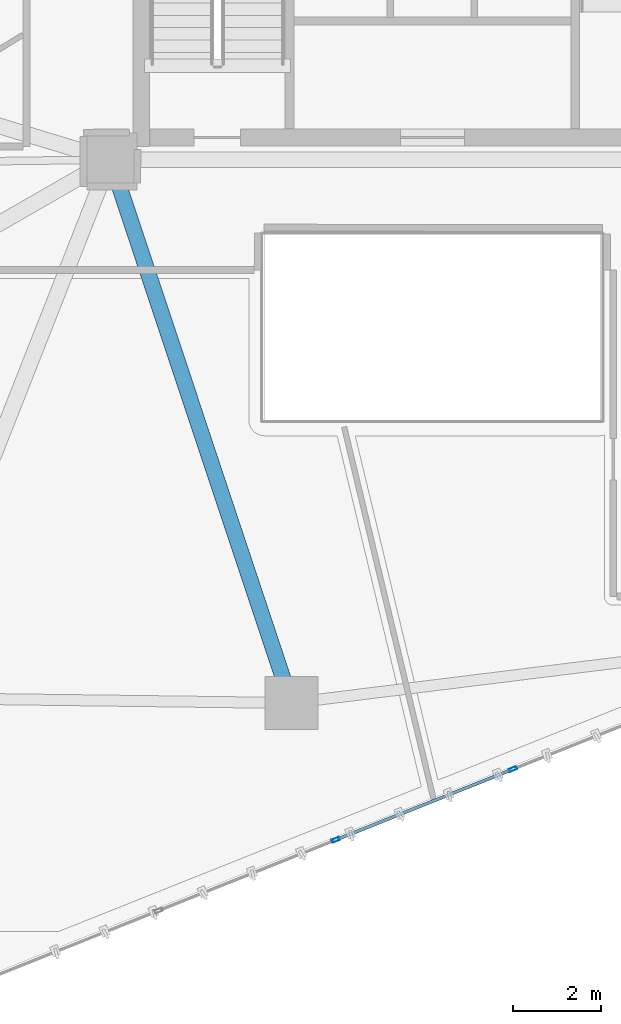
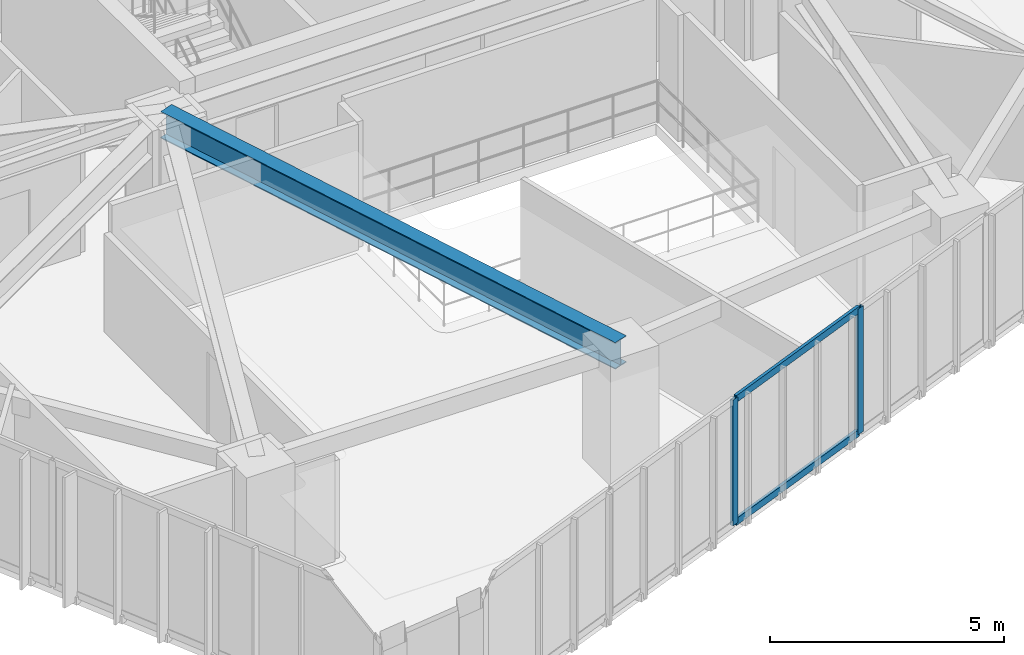
# One storey, part 4 of 22: 4 members, 1 beam, 1 element without a shape of its own.
"""IFC4 building model written with IfcOpenShell, lengths in metres."""

from ifc_helpers import new_model, si_unit, direction, frame, origin, origin_2d, place, context, subcontext, project, spatial, hollow_rectangle, i_section, extrude, source, transform, mapped, material, layer, layer_set, material_profile, profile_set, type_object, type_shapes, element, aggregate, save


model = new_model("IFC4")

# Units and contexts
model_context = context("Model", 3, precision=1e-05, world=origin(), true_north=direction((0.0, 1.0)))
body_context = subcontext(model_context, "Body", "Model", "MODEL_VIEW")
ifc_project = project(units=[si_unit("LENGTHUNIT", "METRE"), si_unit("AREAUNIT", "SQUARE_METRE"), si_unit("VOLUMEUNIT", "CUBIC_METRE"), si_unit("PLANEANGLEUNIT", "RADIAN"), si_unit("MASSUNIT", "GRAM", prefix="KILO")], contexts=[model_context])

# Site, building, storey
site_placement = place(None, origin())
site = spatial("IfcSite", under=ifc_project, at=site_placement, CompositionType="ELEMENT")
building_placement = place(site_placement, origin())
building = spatial("IfcBuilding", under=site, at=building_placement, Name="Talar Marvaseh", CompositionType="ELEMENT")
storey_placement = place(building_placement, frame((0.0, 0.0, 154.199951171875)))
storey = spatial("IfcBuildingStorey", under=building, at=storey_placement, Name="L40", CompositionType="ELEMENT", Elevation=154.199951171875)

# Beam
ifc_material_1 = material(Name="Steel S355", Category="steel")
ifc_material_profile_1 = material_profile(ifc_material_1, i_section(OverallWidth=0.35498046875, OverallDepth=0.695068359375, WebThickness=0.015380859375, FlangeThickness=0.02490234375, at=origin_2d()), Name="W690x217")
ifc_profile_set_1 = profile_set([ifc_material_profile_1], Name="Steel S355")
beam_type = type_object("IfcBeamType", Name="Zone 2 Radial Floor Girder W690x217", PredefinedType="BEAM", material=ifc_profile_set_1)
beam_placement = place(storey_placement, frame((22.804931640625, 13.18310546875, 2.9326171875), z_axis=(-0.316182634321, 0.948698340756, 0.0), x_axis=(-0.948698340756, -0.316182634321, 0.0)))
element("IfcBeam", 1, at=beam_placement, inside=storey, type_object=beam_type, Name="L40 Zone 2 Radial Floor Girder W690x217", PredefinedType="BEAM", context=body_context, shape_type="SweptSolid", body=[
    extrude(i_section(OverallWidth=0.35498046875, OverallDepth=0.695068359375, WebThickness=0.015380859375, FlangeThickness=0.02490234375, at=origin_2d()), origin(), (0.0, 0.0, 1.0), 12.98291015625),
])

# Curtain wall, members
ifc_material_2 = material(Name="Architectural Aluminium", Category="aluminium")
ifc_layer = layer(ifc_material_2, 0.199951171875)
ifc_layer_set = layer_set([ifc_layer], Name="Architectural Aluminium")
curtain_wall_type = type_object("IfcCurtainWallType", Name="Unitised Acoustic Library Curtain Wall Z2", PredefinedType="NOTDEFINED", material=ifc_layer_set)
curtain_wall_placement = place(storey_placement, origin())
curtain_wall = element("IfcCurtainWall", 2, at=curtain_wall_placement, inside=storey, type_object=curtain_wall_type, Name="L40 Unitised Acoustic Library Curtain Wall Z2", PredefinedType="NOTDEFINED")
ifc_material_profile_2 = material_profile(ifc_material_2, hollow_rectangle(XDim=0.074951171875, YDim=0.179931640625, WallThickness=0.0048828125, at=origin_2d()), Name="RHS180x75x5")
ifc_profile_set_2 = profile_set([ifc_material_profile_2], Name="Architectural Aluminium")
member_type_1 = type_object("IfcMemberType", Name="Unitised Curtain Wall Transom RHS180x75x5", PredefinedType="USERDEFINED", material=ifc_profile_set_2)
shared_shape_1 = source(origin(), body_context, "Body", "SweptSolid", [
    extrude(hollow_rectangle(XDim=0.074951171875, YDim=0.179931640625, WallThickness=0.0048828125, at=origin_2d()), origin(), (0.0, 0.0, 1.0), 4.24853515625),
])
type_shapes(member_type_1, [shared_shape_1])
member_1_placement = place(storey_placement, frame((27.79150390625, 11.669677734375, 0.03759765625), z_axis=(-0.928749893509, -0.370706939923, 0.0), x_axis=(0.370706939923, -0.928749893509, 0.0)))
member_1 = element("IfcMember", 3, at=member_1_placement, type_object=member_type_1, Name="CW-Z2 transom 3.1", ObjectType="TRANSOM", PredefinedType="USERDEFINED", context=body_context, shape_type="MappedRepresentation", body=[
    mapped(shared_shape_1, transform((0.0, 0.0, 0.0), x_axis=(1.0, 0.0, 0.0), y_axis=(0.0, 1.0, 0.0), z_axis=(0.0, 0.0, 1.0), scale=1.0)),
])
member_2_placement = place(storey_placement, frame((27.79150390625, 11.669677734375, 3.242431640625), z_axis=(-0.928749893509, -0.370706939923, 0.0), x_axis=(0.370706939923, -0.928749893509, 0.0)))
member_2 = element("IfcMember", 4, at=member_2_placement, type_object=member_type_1, Name="CW-Z2 transom 3.2", ObjectType="TRANSOM", PredefinedType="USERDEFINED", context=body_context, shape_type="MappedRepresentation", body=[
    mapped(shared_shape_1, transform((0.0, 0.0, 0.0), x_axis=(1.0, 0.0, 0.0), y_axis=(0.0, 1.0, 0.0), z_axis=(0.0, 0.0, 1.0), scale=1.0)),
])
ifc_material_profile_3 = material_profile(ifc_material_2, hollow_rectangle(XDim=0.074951171875, YDim=0.179931640625, WallThickness=0.0048828125, at=origin_2d()), Name="RHS180x75x5")
ifc_profile_set_3 = profile_set([ifc_material_profile_3], Name="Architectural Aluminium")
member_type_2 = type_object("IfcMemberType", Name="Unitised Curtain Wall Standard Mullion RHS180x75x5", PredefinedType="MULLION", material=ifc_profile_set_3)
shared_shape_2 = source(origin(), body_context, "Body", "SweptSolid", [
    extrude(hollow_rectangle(XDim=0.074951171875, YDim=0.179931640625, WallThickness=0.0048828125, at=origin_2d()), origin(), (0.0, 0.0, 1.0), 3.280029296875),
])
type_shapes(member_type_2, [shared_shape_2])
member_3_placement = place(storey_placement, frame((27.826416015625, 11.68359375, 0.0), z_axis=(0.0, 0.0, 1.0), x_axis=(0.370702278732, -0.928751753992, 0.0)))
member_3 = element("IfcMember", 5, at=member_3_placement, type_object=member_type_2, Name="CW-Z2 mullion 3", PredefinedType="MULLION", context=body_context, shape_type="MappedRepresentation", body=[
    mapped(shared_shape_2, transform((0.0, 0.0, 0.0), x_axis=(1.0, 0.0, 0.0), y_axis=(0.0, 1.0, 0.0), z_axis=(0.0, 0.0, 1.0), scale=1.0)),
])
member_4_placement = place(storey_placement, frame((23.810791015625, 10.080810546875, 0.0), z_axis=(0.0, 0.0, 1.0), x_axis=(0.370702278732, -0.928751753992, 0.0)))
member_4 = element("IfcMember", 6, at=member_4_placement, type_object=member_type_2, Name="CW-Z2 mullion 4", PredefinedType="MULLION", context=body_context, shape_type="MappedRepresentation", body=[
    mapped(shared_shape_2, transform((0.0, 0.0, 0.0), x_axis=(1.0, 0.0, 0.0), y_axis=(0.0, 1.0, 0.0), z_axis=(0.0, 0.0, 1.0), scale=1.0)),
])
aggregate(curtain_wall, [member_3, member_4, member_1, member_2])

save(model, "model.ifc")
